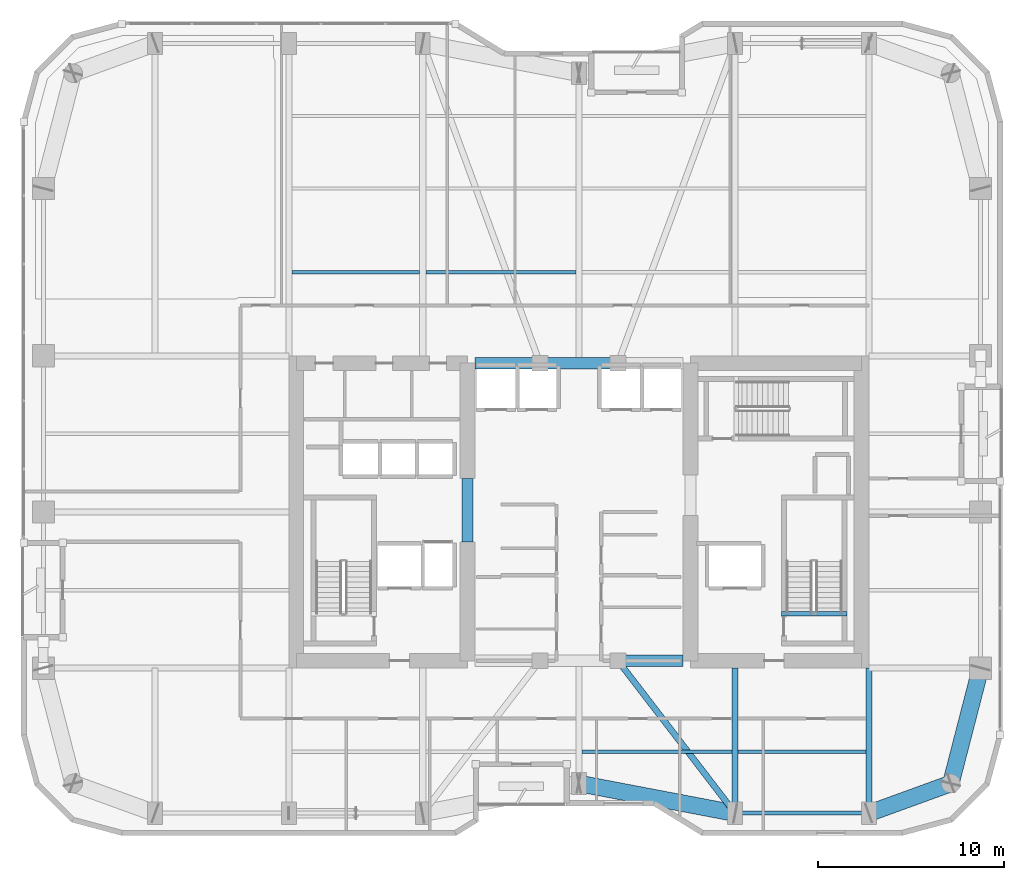
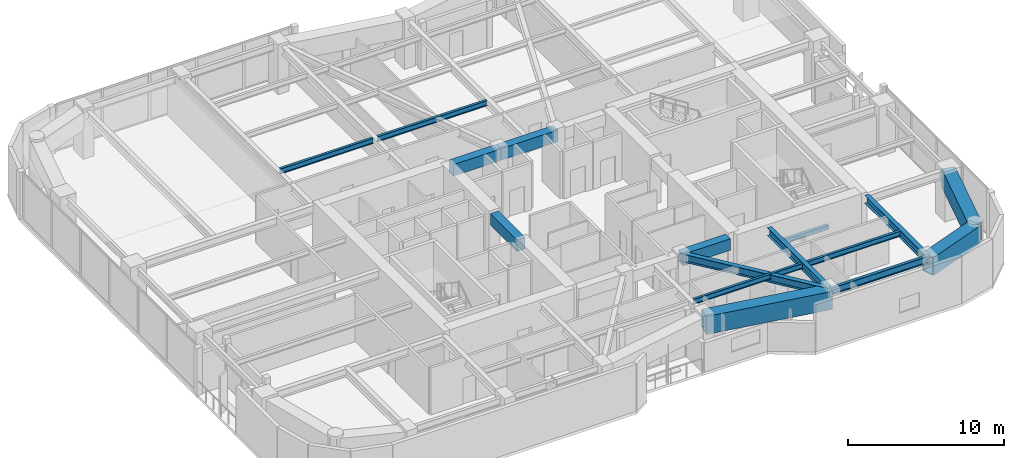
# One storey, part 8 of 30: 16 beams.
"""IFC4 building model written with IfcOpenShell, lengths in metres."""

import ifcopenshell
import ifcopenshell.guid

model = None  # the IFC model being written
_history = None  # IfcOwnerHistory: only IFC2X3 demands one
_inside = {}  # id of a spatial element -> (the spatial element, [elements in it])
_under = {}  # id of a project, library or spatial element -> (it, [spatial elements below it])
_declared = {}  # id of a project -> (the project, [libraries it declares])
_typed = {}  # id of a type object -> (the type object, [elements of that type])
_made_of = {}  # id of a material, layer set ... -> (it, [elements and type objects made of it])


def new_model(schema):
    """Start an empty IFC model of exactly this schema.

    Asked for "IFC4X3", IfcOpenShell would pick the latest addendum, in which some entities
    have other attributes; the version numbers below select the first issue.
    IFC2X3 requires an IfcOwnerHistory on every rooted entity: one is made here for all.
    """
    global model, _history
    if schema == "IFC4X3":
        model = ifcopenshell.file(schema_version=(4, 3, 0, 0))
    else:
        model = ifcopenshell.file(schema=schema)
    _inside.clear()
    _under.clear()
    _declared.clear()
    _typed.clear()
    _made_of.clear()
    _history = None
    if model.schema == "IFC2X3":
        org = make("IfcOrganization", Name="unknown")
        user = make(
            "IfcPersonAndOrganization",
            ThePerson=make("IfcPerson", FamilyName="unknown"),
            TheOrganization=org,
        )
        app = make(
            "IfcApplication",
            ApplicationDeveloper=org,
            Version="unknown",
            ApplicationFullName="unknown",
            ApplicationIdentifier="unknown",
        )
        _history = make(
            "IfcOwnerHistory",
            OwningUser=user,
            OwningApplication=app,
            ChangeAction="ADDED",
            CreationDate=0,
        )
    return model


def make(cls, **values):
    """One entity of the class cls with the attributes given. An attribute that is None is left unset."""
    return model.create_entity(
        cls, **{name: value for name, value in values.items() if value is not None}
    )


def rooted(cls, **values):
    """An entity with a GlobalId (a new one), such as an element, a storey or a relation."""
    return make(cls, GlobalId=ifcopenshell.guid.new(), OwnerHistory=_history, **values)


def si_unit(unit_type, name, prefix=None):
    """IfcSIUnit, for example si_unit("LENGTHUNIT", "METRE", prefix="MILLI")."""
    return make("IfcSIUnit", UnitType=unit_type, Prefix=prefix, Name=name)


def assignment(units):
    """IfcUnitAssignment: the units of a project."""
    return None if units is None else make("IfcUnitAssignment", Units=units)


def point(xyz):
    """IfcCartesianPoint."""
    return None if xyz is None else make("IfcCartesianPoint", Coordinates=xyz)


def direction(xyz):
    """IfcDirection."""
    return None if xyz is None else make("IfcDirection", DirectionRatios=xyz)


def frame(location, z_axis=None, x_axis=None):
    """IfcAxis2Placement3D, a coordinate frame: its origin and axes. An axis left out is left unset."""
    return make(
        "IfcAxis2Placement3D",
        Location=point(location),
        Axis=direction(z_axis),
        RefDirection=direction(x_axis),
    )


def frame_2d(location, x_axis=None):
    """IfcAxis2Placement2D, a coordinate frame in the plane: its origin and x axis."""
    return make(
        "IfcAxis2Placement2D", Location=point(location), RefDirection=direction(x_axis)
    )


def origin():
    """The frame at (0, 0, 0) with its axes left unset."""
    return frame((0.0, 0.0, 0.0))


def origin_2d():
    """The frame at (0, 0) in the plane with its x axis left unset."""
    return frame_2d((0.0, 0.0))


def place(relative_to, where):
    """IfcLocalPlacement: puts the frame where relative to a parent placement (None: the world)."""
    return make(
        "IfcLocalPlacement", PlacementRelTo=relative_to, RelativePlacement=where
    )


def context(
    kind, dimensions, precision=None, world=None, true_north=None, identifier=None
):
    """IfcGeometricRepresentationContext, for example the 3D "Model" context."""
    return make(
        "IfcGeometricRepresentationContext",
        ContextIdentifier=identifier,
        ContextType=kind,
        CoordinateSpaceDimension=dimensions,
        Precision=precision,
        WorldCoordinateSystem=world,
        TrueNorth=true_north,
    )


def subcontext(parent, identifier, kind, view, scale=None):
    """IfcGeometricRepresentationSubContext, for example "Body" below "Model"."""
    return make(
        "IfcGeometricRepresentationSubContext",
        ContextIdentifier=identifier,
        ContextType=kind,
        ParentContext=parent,
        TargetScale=scale,
        TargetView=view,
    )


def project(units=None, contexts=None):
    """IfcProject with its units and contexts."""
    return rooted(
        "IfcProject",
        Name="project",
        RepresentationContexts=contexts,
        UnitsInContext=assignment(units),
    )


def spatial(cls, under=None, at=None, **own):
    """A site, building, storey or space (cls), placed at a placement, below another one or the project."""
    s = rooted(cls, ObjectPlacement=at, **own)
    if under is not None:
        _under.setdefault(under.id(), (under, []))[1].append(s)
    return s


def profile(cls, at=None, kind="AREA", **sizes):
    """A parametric profile (cls). Its sizes go by their IFC names, for example OverallWidth=200.0."""
    return make(cls, ProfileType=kind, Position=at, **sizes)


def rectangle(**sizes):
    """IfcRectangleProfileDef."""
    return profile("IfcRectangleProfileDef", **sizes)


def hollow_rectangle(**sizes):
    """IfcRectangleHollowProfileDef."""
    return profile("IfcRectangleHollowProfileDef", **sizes)


def i_section(**sizes):
    """IfcIShapeProfileDef."""
    return profile("IfcIShapeProfileDef", **sizes)


def extrude(swept, where, along, depth):
    """IfcExtrudedAreaSolid: the profile swept, set in the frame where, extruded along a direction by depth."""
    return make(
        "IfcExtrudedAreaSolid",
        SweptArea=swept,
        Position=where,
        ExtrudedDirection=direction(along),
        Depth=depth,
    )


def shape(context_of_items, identifier, shape_type, items):
    """IfcShapeRepresentation: the items that make up one representation, for example the "Body"."""
    return make(
        "IfcShapeRepresentation",
        ContextOfItems=context_of_items,
        RepresentationIdentifier=identifier,
        RepresentationType=shape_type,
        Items=items,
    )


def material(Name=None, Category=None):
    """IfcMaterial."""
    return make("IfcMaterial", Name=Name, Category=Category)


def material_profile(
    of_material, cross_section, Name=None, Category=None, Priority=None
):
    """IfcMaterialProfile: a cross section and its material."""
    return make(
        "IfcMaterialProfile",
        Name=Name,
        Material=of_material,
        Profile=cross_section,
        Priority=Priority,
        Category=Category,
    )


def profile_set(profiles, Name=None, composite=None):
    """IfcMaterialProfileSet."""
    return make(
        "IfcMaterialProfileSet",
        Name=Name,
        MaterialProfiles=profiles,
        CompositeProfile=composite,
    )


def made_of(thing, what):
    """Note that an element or type object is made of a material, layer set ...; save() writes the relation."""
    if what is not None:
        _made_of.setdefault(what.id(), (what, []))[1].append(thing)
    return thing


def type_object(cls, material=None, **own):
    """A type object (cls), such as IfcWallType, which elements share."""
    return made_of(rooted(cls, **own), material)


def element(
    cls,
    number,
    at=None,
    inside=None,
    cuts=None,
    type_object=None,
    material=None,
    context=None,
    identifier="Body",
    shape_type=None,
    held_by="IfcProductDefinitionShape",
    body=None,
    shapes=None,
    **own,
):
    """One element of the class cls, such as IfcWall. Its Tag is "e" and its number.

    at: its placement. inside: the storey or other place that contains it. cuts: it is an
    opening in that element (IfcRelVoidsElement). A single representation is given by context,
    identifier, shape_type and body (its items); several are given by shapes. held_by: the class
    of the entity that holds the representations. save() writes the other relations.
    """
    e = rooted(cls, Tag="e%d" % number, ObjectPlacement=at, **own)
    if body is not None:
        shapes = [shape(context, identifier, shape_type, body)]
    if shapes is not None:
        e.Representation = make(held_by, Representations=shapes)
    if inside is not None:
        _inside.setdefault(inside.id(), (inside, []))[1].append(e)
    if cuts is not None:
        rooted(
            "IfcRelVoidsElement", RelatingBuildingElement=cuts, RelatedOpeningElement=e
        )
    if type_object is not None:
        _typed.setdefault(type_object.id(), (type_object, []))[1].append(e)
    return made_of(e, material)


def aggregate(whole, parts):
    """IfcRelAggregates: a whole, such as a stair, and the parts it consists of."""
    return rooted("IfcRelAggregates", RelatingObject=whole, RelatedObjects=parts)


def save(model, path):
    """Write the relations noted so far, then the file.

    IfcRelAggregates (storeys below a building ...), IfcRelContainedInSpatialStructure (elements
    in a storey), IfcRelDefinesByType, IfcRelAssociatesMaterial and IfcRelDeclares: one each for
    every whole, place, type object, material and project.
    """
    for whole, parts in _under.values():
        aggregate(whole, parts)
    for where, things in _inside.values():
        rooted(
            "IfcRelContainedInSpatialStructure",
            RelatedElements=things,
            RelatingStructure=where,
        )
    for kind, things in _typed.values():
        rooted("IfcRelDefinesByType", RelatedObjects=things, RelatingType=kind)
    for what, things in _made_of.values():
        rooted("IfcRelAssociatesMaterial", RelatedObjects=things, RelatingMaterial=what)
    for by, libraries in _declared.values():
        rooted("IfcRelDeclares", RelatingContext=by, RelatedDefinitions=libraries)
    model.write(path)


model = new_model("IFC4")

# Units and contexts
model_context = context("Model", 3, precision=1e-05, world=origin(), true_north=direction((0.0, 1.0)))
body_context = subcontext(model_context, "Body", "Model", "MODEL_VIEW")
ifc_project = project(units=[si_unit("LENGTHUNIT", "METRE"), si_unit("AREAUNIT", "SQUARE_METRE"), si_unit("VOLUMEUNIT", "CUBIC_METRE"), si_unit("PLANEANGLEUNIT", "RADIAN"), si_unit("MASSUNIT", "GRAM", prefix="KILO")], contexts=[model_context])

# Site, building, storey
site_placement = place(None, origin())
site = spatial("IfcSite", under=ifc_project, at=site_placement, CompositionType="ELEMENT")
building_placement = place(site_placement, origin())
building = spatial("IfcBuilding", under=site, at=building_placement, Name="Kiyonajd Concourse Tower", CompositionType="ELEMENT")
storey_placement = place(building_placement, frame((0.0, 0.0, 162.300048828125)))
storey = spatial("IfcBuildingStorey", under=building, at=storey_placement, Name="L41", CompositionType="ELEMENT", Elevation=162.300048828125)

# Beams
ifc_material_1 = material(Name="Concrete C60/75", Category="concrete")
ifc_material_profile_1 = material_profile(ifc_material_1, rectangle(XDim=0.60009765625, YDim=0.89990234375, at=origin_2d()), Name="RCBM-600x900")
ifc_profile_set_1 = profile_set([ifc_material_profile_1], Name="Concrete C60/75")
beam_type_1 = type_object("IfcBeamType", Name="BM-COUP-900", PredefinedType="LINTEL", material=ifc_profile_set_1)
for number, where, z_axis, x_axis, name in (
    (1, (50.10009765625, 28.0, 3.22998046875), (1.0, 0.0, 0.0), (0.0, 1.0, 0.0), "L41 Core Coupling Beam S3"),
    (2, (42.39990234375, 44.0, 3.22998046875), (1.0, 0.0, 0.0), (0.0, 1.0, 0.0), "L41 Core Coupling Beam N1"),
):
    element("IfcBeam", number, at=place(storey_placement, frame(where, z_axis=z_axis, x_axis=x_axis)), inside=storey, type_object=beam_type_1, Name=name, PredefinedType="LINTEL", context=body_context, shape_type="SweptSolid", body=[
        extrude(rectangle(XDim=0.60009765625, YDim=0.89990234375, at=origin_2d()), origin(), (0.0, 0.0, 1.0), 3.5),
    ])
beam_1_placement = place(storey_placement, frame((45.89990234375, 44.0, 3.22998046875), z_axis=(1.0, 0.0, 0.0), x_axis=(0.0, 1.0, 0.0)))
element("IfcBeam", 3, at=beam_1_placement, inside=storey, type_object=beam_type_1, Name="L41 Core Coupling Beam N2", PredefinedType="LINTEL", context=body_context, shape_type="SweptSolid", body=[
    extrude(rectangle(XDim=0.60009765625, YDim=0.89990234375, at=origin_2d()), origin(), (0.0, 0.0, 1.0), 4.2001953125),
])
beam_2_placement = place(storey_placement, frame((42.0, 34.39990234375, 3.22998046875), z_axis=(0.0, 1.0, 0.0), x_axis=(-1.0, 0.0, 0.0)))
element("IfcBeam", 4, at=beam_2_placement, inside=storey, type_object=beam_type_1, Name="L41 West Core Throat Coupling Lintel", PredefinedType="LINTEL", context=body_context, shape_type="SweptSolid", body=[
    extrude(rectangle(XDim=0.60009765625, YDim=0.89990234375, at=origin_2d()), origin(), (0.0, 0.0, 1.0), 3.400146484375),
])
ifc_material_2 = material(Name="Steel ASTM A992 Grade 50", Category="steel")
ifc_material_profile_2 = material_profile(ifc_material_2, i_section(OverallWidth=0.180908203125, OverallDepth=0.4169921875, WebThickness=0.010986328125, FlangeThickness=0.018310546875, at=origin_2d()), Name="W410X85")
ifc_profile_set_2 = profile_set([ifc_material_profile_2], Name="Steel ASTM A992 Grade 50")
beam_type_2 = type_object("IfcBeamType", Name="BM-JST-410", PredefinedType="JOIST", material=ifc_profile_set_2)
beam_3_placement = place(storey_placement, frame((48.16357421875, 23.10009765625, 3.471435546875), z_axis=(1.0, 0.0, 0.0), x_axis=(0.0, 1.0, 0.0)))
element("IfcBeam", 5, at=beam_3_placement, inside=storey, type_object=beam_type_2, Name="L41 Secondary Floor Joist", PredefinedType="JOIST", context=body_context, shape_type="SweptSolid", body=[
    extrude(i_section(OverallWidth=0.180908203125, OverallDepth=0.4169921875, WebThickness=0.010986328125, FlangeThickness=0.018310546875, at=origin_2d()), origin(), (0.0, 0.0, 1.0), 8.072998046875),
])
for number, where, z_axis, x_axis, name in (
    (6, (56.5634765625, 23.10009765625, 3.471435546875), (1.0, 0.0, 0.0), (0.0, 1.0, 0.0), "L41 Secondary Floor Joist"),
    (7, (32.5634765625, 48.89990234375, 3.471435546875), (1.0, 0.0, 0.0), (0.0, 1.0, 0.0), "L41 Secondary Floor Joist"),
):
    element("IfcBeam", number, at=place(storey_placement, frame(where, z_axis=z_axis, x_axis=x_axis)), inside=storey, type_object=beam_type_2, Name=name, PredefinedType="JOIST", context=body_context, shape_type="SweptSolid", body=[
        extrude(i_section(OverallWidth=0.180908203125, OverallDepth=0.4169921875, WebThickness=0.010986328125, FlangeThickness=0.018310546875, at=origin_2d()), origin(), (0.0, 0.0, 1.0), 6.873046875),
    ])
beam_4_placement = place(storey_placement, frame((39.763427734375, 48.89990234375, 3.471435546875), z_axis=(1.0, 0.0, 0.0), x_axis=(0.0, 1.0, 0.0)))
element("IfcBeam", 8, at=beam_4_placement, inside=storey, type_object=beam_type_2, Name="L41 Secondary Floor Joist", PredefinedType="JOIST", context=body_context, shape_type="SweptSolid", body=[
    extrude(i_section(OverallWidth=0.180908203125, OverallDepth=0.4169921875, WebThickness=0.010986328125, FlangeThickness=0.018310546875, at=origin_2d()), origin(), (0.0, 0.0, 1.0), 8.072998046875),
])
ifc_material_3 = material(Name="Concrete C50/60", Category="concrete")
ifc_material_profile_3 = material_profile(ifc_material_3, rectangle(XDim=0.239990234375, YDim=0.320068359375, at=origin_2d()), Name="RCBM-240x320")
ifc_profile_set_3 = profile_set([ifc_material_profile_3], Name="Concrete C50/60")
beam_type_3 = type_object("IfcBeamType", Name="BM-LNT-250", PredefinedType="LINTEL", material=ifc_profile_set_3)
beam_5_placement = place(storey_placement, frame((58.889892578125, 30.530029296875, -0.16015625), z_axis=(1.0, 0.0, 0.0), x_axis=(0.0, 1.0, 0.0)))
element("IfcBeam", 9, at=beam_5_placement, inside=storey, type_object=beam_type_3, Name="L41 Stair ST2 Threshold Support Beam", PredefinedType="LINTEL", context=body_context, shape_type="SweptSolid", body=[
    extrude(rectangle(XDim=0.239990234375, YDim=0.320068359375, at=origin_2d()), origin(), (0.0, 0.0, 1.0), 3.52001953125),
])
ifc_material_profile_4 = material_profile(ifc_material_2, i_section(OverallWidth=0.214111328125, OverallDepth=0.549072265625, WebThickness=0.0146484375, FlangeThickness=0.023681640625, at=origin_2d()), Name="W530X138")
ifc_profile_set_4 = profile_set([ifc_material_profile_4], Name="Steel ASTM A992 Grade 50")
beam_type_4 = type_object("IfcBeamType", Name="BM-SPAN-530A", PredefinedType="SPANDREL", material=ifc_profile_set_4)
beam_6_placement = place(storey_placement, frame((56.39990234375, 19.800048828125, 3.405517578125), z_axis=(1.0, 0.0, 0.0), x_axis=(0.0, 1.0, 0.0)))
element("IfcBeam", 10, at=beam_6_placement, inside=storey, type_object=beam_type_4, Name="L41 Perimeter Bundled Tube Spandrel", PredefinedType="SPANDREL", context=body_context, shape_type="SweptSolid", body=[
    extrude(i_section(OverallWidth=0.214111328125, OverallDepth=0.549072265625, WebThickness=0.0146484375, FlangeThickness=0.023681640625, at=origin_2d()), origin(), (0.0, 0.0, 1.0), 7.2001953125),
])
ifc_material_profile_5 = material_profile(ifc_material_2, i_section(OverallWidth=0.326904296875, OverallDepth=0.6220703125, WebThickness=0.015380859375, FlangeThickness=0.0244140625, at=origin_2d()), Name="W610X195")
ifc_profile_set_5 = profile_set([ifc_material_profile_5], Name="Steel ASTM A992 Grade 50")
beam_type_5 = type_object("IfcBeamType", Name="BM-TWR-610A", PredefinedType="BEAM", material=ifc_profile_set_5)
beam_7_placement = place(storey_placement, frame((50.10009765625, 28.0, 3.368896484375), z_axis=(0.609233709922, -0.792990722956, 0.0), x_axis=(0.792990722956, 0.609233709922, 0.0)))
element("IfcBeam", 11, at=beam_7_placement, inside=storey, type_object=beam_type_5, Name="L41 Core Tie Girder", PredefinedType="BEAM", context=body_context, shape_type="SweptSolid", body=[
    extrude(i_section(OverallWidth=0.326904296875, OverallDepth=0.6220703125, WebThickness=0.015380859375, FlangeThickness=0.0244140625, at=origin_2d()), origin(), (0.0, 0.0, 1.0), 10.340576171875),
])
for number, where, z_axis, x_axis, name in (
    (12, (56.39990234375, 19.800048828125, 3.368896484375), (0.0, 1.0, 0.0), (-1.0, 0.0, 0.0), "L41 South Lease Girder"),
    (13, (63.60009765625, 19.800048828125, 3.368896484375), (0.0, 1.0, 0.0), (-1.0, 0.0, 0.0), "L41 South Lease Girder"),
):
    element("IfcBeam", number, at=place(storey_placement, frame(where, z_axis=z_axis, x_axis=x_axis)), inside=storey, type_object=beam_type_5, Name=name, PredefinedType="BEAM", context=body_context, shape_type="SweptSolid", body=[
        extrude(i_section(OverallWidth=0.326904296875, OverallDepth=0.6220703125, WebThickness=0.015380859375, FlangeThickness=0.0244140625, at=origin_2d()), origin(), (0.0, 0.0, 1.0), 7.800048828125),
    ])
ifc_material_4 = material(Name="Steel ASTM A572 Grade 50", Category="steel")
ifc_material_profile_6 = material_profile(ifc_material_4, hollow_rectangle(XDim=0.89990234375, YDim=1.39990234375, WallThickness=0.070068359375, at=origin_2d()), Name="BOX-1400x900x70")
ifc_profile_set_6 = profile_set([ifc_material_profile_6], Name="Steel ASTM A572 Grade 50")
beam_type_6 = type_object("IfcBeamType", Name="BM-XFER-1400", PredefinedType="BEAM", material=ifc_profile_set_6)
beam_8_placement = place(storey_placement, frame((48.0, 21.39990234375, 2.97998046875), z_axis=(0.982341315253, -0.187097675953, 0.0), x_axis=(0.187097675953, 0.982341315253, 0.0)))
element("IfcBeam", 14, at=beam_8_placement, inside=storey, type_object=beam_type_6, Name="L41 Perimeter Bundled Tube Spandrel", PredefinedType="BEAM", context=body_context, shape_type="SweptSolid", body=[
    extrude(hollow_rectangle(XDim=0.89990234375, YDim=1.39990234375, WallThickness=0.070068359375, at=origin_2d()), origin(), (0.0, 0.0, 1.0), 8.55078125),
])
beam_9_placement = place(storey_placement, frame((63.60009765625, 19.800048828125, 2.97998046875), z_axis=(0.939801036019, 0.341722127901, 0.0), x_axis=(-0.341722127901, 0.939801036019, 0.0)))
element("IfcBeam", 15, at=beam_9_placement, inside=storey, type_object=beam_type_6, Name="L41 Perimeter Bundled Tube Spandrel", PredefinedType="BEAM", context=body_context, shape_type="SweptSolid", body=[
    extrude(hollow_rectangle(XDim=0.89990234375, YDim=1.39990234375, WallThickness=0.070068359375, at=origin_2d()), origin(), (0.0, 0.0, 1.0), 4.681640625),
])
beam_10_placement = place(storey_placement, frame((68.0, 21.39990234375, 2.97998046875), z_axis=(0.249884937687, 0.968275538221, 0.0), x_axis=(-0.968275538221, 0.249884937687, 0.0)))
element("IfcBeam", 16, at=beam_10_placement, inside=storey, type_object=beam_type_6, Name="L41 Perimeter Bundled Tube Spandrel", PredefinedType="BEAM", context=body_context, shape_type="SweptSolid", body=[
    extrude(hollow_rectangle(XDim=0.89990234375, YDim=1.39990234375, WallThickness=0.070068359375, at=origin_2d()), origin(), (0.0, 0.0, 1.0), 6.4033203125),
])

save(model, "model.ifc")
